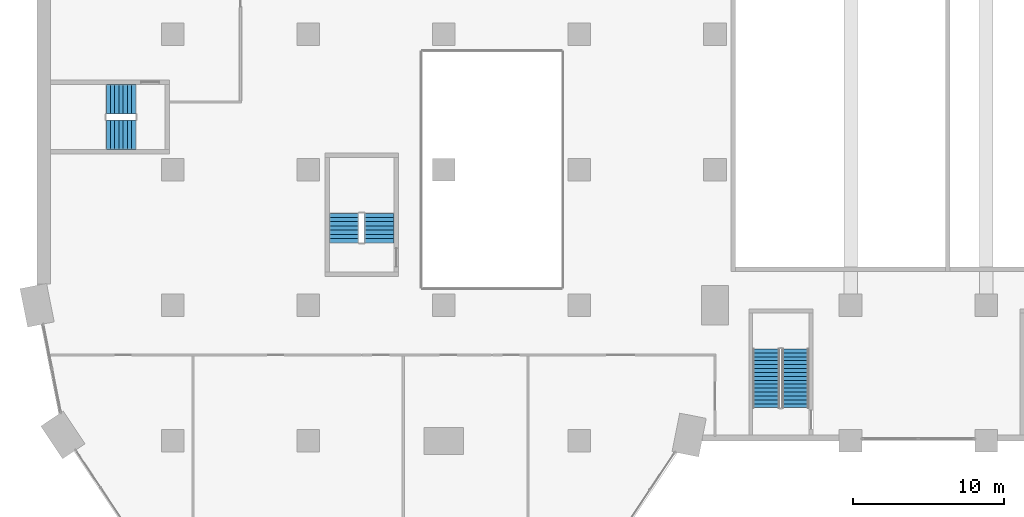
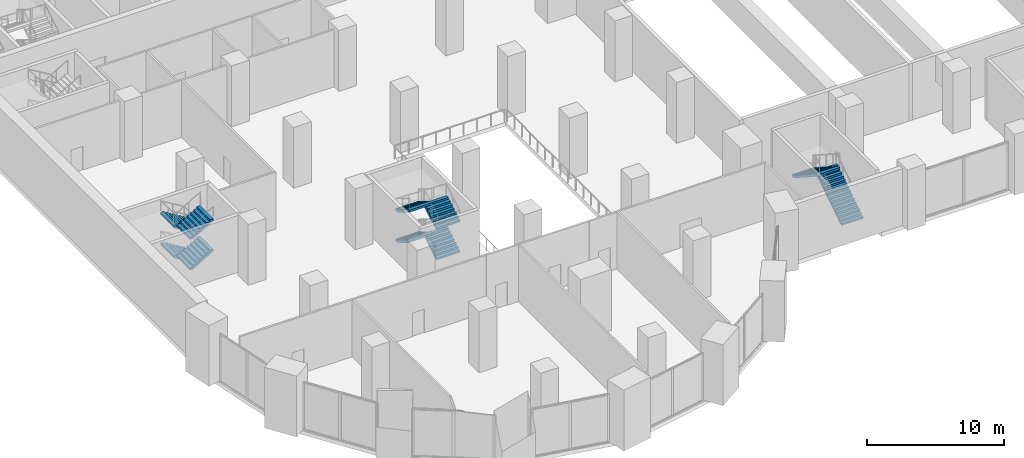
# One storey, part 24 of 43: 10 stair flights, 3 elements without a shape of their own.
"""IFC4 building model written with IfcOpenShell, lengths in metres."""

from ifc_helpers import new_model, si_unit, direction, frame, origin, place, context, subcontext, project, spatial, polyline, outline, extrude, material, type_object, element, aggregate, save


model = new_model("IFC4")

# Units and contexts
model_context = context("Model", 3, precision=1e-05, world=origin(), true_north=direction((0.0, 1.0)))
body_context = subcontext(model_context, "Body", "Model", "MODEL_VIEW")
ifc_project = project(units=[si_unit("LENGTHUNIT", "METRE"), si_unit("AREAUNIT", "SQUARE_METRE"), si_unit("VOLUMEUNIT", "CUBIC_METRE"), si_unit("PLANEANGLEUNIT", "RADIAN"), si_unit("MASSUNIT", "GRAM", prefix="KILO")], contexts=[model_context])

# Site, building, storey
site_placement = place(None, origin())
site = spatial("IfcSite", under=ifc_project, at=site_placement, CompositionType="ELEMENT")
building_placement = place(site_placement, origin())
building = spatial("IfcBuilding", under=site, at=building_placement, Name="Hunhe Ridgeline Campus", CompositionType="ELEMENT")
storey_placement = place(building_placement, frame((0.0, 0.0, 11.39990234375)))
storey = spatial("IfcBuildingStorey", under=building, at=storey_placement, Name="L02", CompositionType="ELEMENT", Elevation=11.39990234375)

# Stair, stair flights
ifc_material = material(Name="Concrete C40", Category="concrete")
stair_type_1 = type_object("IfcStairType", Name="Podium exit stair 1800", PredefinedType="HALF_TURN_STAIR", material=ifc_material)
stair_1_placement = place(storey_placement, origin())
stair_1 = element("IfcStair", 1, at=stair_1_placement, inside=storey, type_object=stair_type_1, Name="L02 podium stair PS1", PredefinedType="HALF_TURN_STAIR")
stair_flight_type_1 = type_object("IfcStairFlightType", Name="Podium stair flight 1800", PredefinedType="STRAIGHT", material=ifc_material)
stair_flight_1_placement = place(storey_placement, frame((50.35009765625, 20.199951171875, 0.0), z_axis=(0.0, 0.0, 1.0), x_axis=(0.0, 1.0, 0.0)))
stair_flight_1 = element("IfcStairFlight", 2, at=stair_flight_1_placement, type_object=stair_flight_type_1, Name="PS1 flight 1", NumberOfRisers=16, NumberOfTreads=15, PredefinedType="STRAIGHT", RiserHeight=0.16875, TreadLength=0.26, context=body_context, shape_type="SweptSolid", body=[
    extrude(outline(polyline([(0.0, 0.0), (0.0, 0.168701171875), (0.260009765625, 0.168701171875), (0.260009765625, 0.33740234375), (0.52001953125, 0.33740234375), (0.52001953125, 0.50634765625), (0.780029296875, 0.50634765625), (0.780029296875, 0.675048828125), (1.0400390625, 0.675048828125), (1.0400390625, 0.84375), (1.300048828125, 0.84375), (1.300048828125, 1.012451171875), (1.56005859375, 1.012451171875), (1.56005859375, 1.18115234375), (1.820068359375, 1.18115234375), (1.820068359375, 1.35009765625), (2.080078125, 1.35009765625), (2.080078125, 1.518798828125), (2.340087890625, 1.518798828125), (2.340087890625, 1.6875), (2.60009765625, 1.6875), (2.60009765625, 1.856201171875), (2.860107421875, 1.856201171875), (2.860107421875, 2.02490234375), (3.1201171875, 2.02490234375), (3.1201171875, 2.19384765625), (3.3798828125, 2.19384765625), (3.3798828125, 2.362548828125), (3.639892578125, 2.362548828125), (3.639892578125, 2.53125), (3.89990234375, 2.53125), (3.89990234375, 2.699951171875), (3.89990234375, 2.3525390625), (0.275390625, 0.0), (0.0, 0.0)])), frame((0.0, 0.89990234375, 0.0), z_axis=(0.0, -1.0, 0.0), x_axis=(1.0, 0.0, 0.0)), (0.0, 0.0, 1.0), 1.800048828125),
])
stair_flight_2_placement = place(storey_placement, frame((48.39990234375, 24.10009765625, 2.7001953125), z_axis=(0.0, 0.0, 1.0), x_axis=(0.0, -1.0, 0.0)))
stair_flight_2 = element("IfcStairFlight", 3, at=stair_flight_2_placement, type_object=stair_flight_type_1, Name="PS1 flight 2", NumberOfRisers=16, NumberOfTreads=15, PredefinedType="STRAIGHT", RiserHeight=0.16875, TreadLength=0.26, context=body_context, shape_type="SweptSolid", body=[
    extrude(outline(polyline([(0.0, 0.0), (0.0, 0.168701171875), (0.260009765625, 0.168701171875), (0.260009765625, 0.33740234375), (0.52001953125, 0.33740234375), (0.52001953125, 0.50634765625), (0.780029296875, 0.50634765625), (0.780029296875, 0.675048828125), (1.0400390625, 0.675048828125), (1.0400390625, 0.84375), (1.300048828125, 0.84375), (1.300048828125, 1.012451171875), (1.56005859375, 1.012451171875), (1.56005859375, 1.18115234375), (1.820068359375, 1.18115234375), (1.820068359375, 1.35009765625), (2.080078125, 1.35009765625), (2.080078125, 1.518798828125), (2.340087890625, 1.518798828125), (2.340087890625, 1.6875), (2.60009765625, 1.6875), (2.60009765625, 1.856201171875), (2.860107421875, 1.856201171875), (2.860107421875, 2.02490234375), (3.1201171875, 2.02490234375), (3.1201171875, 2.19384765625), (3.3798828125, 2.19384765625), (3.3798828125, 2.362548828125), (3.639892578125, 2.362548828125), (3.639892578125, 2.53125), (3.89990234375, 2.53125), (3.89990234375, 2.699951171875), (3.89990234375, 2.3525390625), (0.275390625, 0.0), (0.0, 0.0)])), frame((0.0, 0.89990234375, 0.0), z_axis=(0.0, -1.0, 0.0), x_axis=(1.0, 0.0, 0.0)), (0.0, 0.0, 1.0), 1.800048828125),
])
aggregate(stair_1, [stair_flight_1, stair_flight_2])

stair_type_2 = type_object("IfcStairType", Name="Reinforced concrete dog-leg stair 1950 Concrete C40", PredefinedType="HALF_TURN_STAIR", material=ifc_material)
stair_2_placement = place(storey_placement, origin())
stair_2 = element("IfcStair", 4, at=stair_2_placement, inside=storey, type_object=stair_type_2, Name="L02 W3", PredefinedType="HALF_TURN_STAIR")
stair_flight_type_2 = type_object("IfcStairFlightType", Name="Reinforced concrete stair flight 1950 Concrete C40", PredefinedType="STRAIGHT", material=ifc_material)
stair_flight_3_placement = place(storey_placement, frame((22.72509765625, 31.14990234375, 0.0), z_axis=(0.0, 0.0, 1.0), x_axis=(0.0, 1.0, 0.0)))
stair_flight_3 = element("IfcStairFlight", 5, at=stair_flight_3_placement, type_object=stair_flight_type_2, Name="ST9 flight 1", NumberOfRisers=8, NumberOfTreads=7, PredefinedType="STRAIGHT", RiserHeight=0.16875, TreadLength=0.28, context=body_context, shape_type="SweptSolid", body=[
    extrude(outline(polyline([(0.0, 0.0), (0.0, 0.168701171875), (0.280029296875, 0.168701171875), (0.280029296875, 0.33740234375), (0.56005859375, 0.33740234375), (0.56005859375, 0.50634765625), (0.840087890625, 0.50634765625), (0.840087890625, 0.675048828125), (1.1201171875, 0.675048828125), (1.1201171875, 0.84375), (1.39990234375, 0.84375), (1.39990234375, 1.012451171875), (1.679931640625, 1.012451171875), (1.679931640625, 1.18115234375), (1.9599609375, 1.18115234375), (1.9599609375, 1.35009765625), (1.9599609375, 1.00634765625), (0.29052734375, 0.0), (0.0, 0.0)])), frame((0.0, 0.97509765625, 0.0), z_axis=(0.0, -1.0, 0.0), x_axis=(1.0, 0.0, 0.0)), (0.0, 0.0, 1.0), 1.949951171875),
    extrude(outline(polyline([(0.030029296875, 0.030029296875), (0.030029296875, 0.138916015625), (0.31005859375, 0.138916015625), (0.31005859375, 0.3076171875), (0.590087890625, 0.3076171875), (0.590087890625, 0.476318359375), (0.8701171875, 0.476318359375), (0.8701171875, 0.64501953125), (1.14990234375, 0.64501953125), (1.14990234375, 0.813720703125), (1.429931640625, 0.813720703125), (1.429931640625, 0.982421875), (1.7099609375, 0.982421875), (1.7099609375, 1.1513671875), (1.929931640625, 1.1513671875), (1.929931640625, 1.023193359375), (0.281982421875, 0.030029296875), (0.030029296875, 0.030029296875)])), frame((0.0, -0.070068359375, 0.0), z_axis=(0.0, -1.0, 0.0), x_axis=(1.0, 0.0, 0.0)), (0.0, 0.0, 1.0), 0.019775390625),
    extrude(outline(polyline([(0.030029296875, 0.030029296875), (0.030029296875, 0.138916015625), (0.31005859375, 0.138916015625), (0.31005859375, 0.3076171875), (0.590087890625, 0.3076171875), (0.590087890625, 0.476318359375), (0.8701171875, 0.476318359375), (0.8701171875, 0.64501953125), (1.14990234375, 0.64501953125), (1.14990234375, 0.813720703125), (1.429931640625, 0.813720703125), (1.429931640625, 0.982421875), (1.7099609375, 0.982421875), (1.7099609375, 1.1513671875), (1.929931640625, 1.1513671875), (1.929931640625, 1.023193359375), (0.281982421875, 0.030029296875), (0.030029296875, 0.030029296875)])), frame((0.0, 0.010009765625, 0.0), z_axis=(0.0, -1.0, 0.0), x_axis=(1.0, 0.0, 0.0)), (0.0, 0.0, 1.0), 0.019775390625),
    extrude(outline(polyline([(0.030029296875, 0.030029296875), (0.030029296875, 0.138916015625), (0.31005859375, 0.138916015625), (0.31005859375, 0.3076171875), (0.590087890625, 0.3076171875), (0.590087890625, 0.476318359375), (0.8701171875, 0.476318359375), (0.8701171875, 0.64501953125), (1.14990234375, 0.64501953125), (1.14990234375, 0.813720703125), (1.429931640625, 0.813720703125), (1.429931640625, 0.982421875), (1.7099609375, 0.982421875), (1.7099609375, 1.1513671875), (1.929931640625, 1.1513671875), (1.929931640625, 1.023193359375), (0.281982421875, 0.030029296875), (0.030029296875, 0.030029296875)])), frame((0.0, 0.090087890625, 0.0), z_axis=(0.0, -1.0, 0.0), x_axis=(1.0, 0.0, 0.0)), (0.0, 0.0, 1.0), 0.019775390625),
])
stair_flight_4_placement = place(storey_placement, frame((20.375, 33.110107421875, 1.35009765625), z_axis=(0.0, 0.0, 1.0), x_axis=(0.0, -1.0, 0.0)))
stair_flight_4 = element("IfcStairFlight", 6, at=stair_flight_4_placement, type_object=stair_flight_type_2, Name="ST9 flight 2", NumberOfRisers=8, NumberOfTreads=7, PredefinedType="STRAIGHT", RiserHeight=0.16875, TreadLength=0.28, context=body_context, shape_type="SweptSolid", body=[
    extrude(outline(polyline([(0.0, 0.0), (0.0, 0.168701171875), (0.280029296875, 0.168701171875), (0.280029296875, 0.33740234375), (0.56005859375, 0.33740234375), (0.56005859375, 0.50634765625), (0.840087890625, 0.50634765625), (0.840087890625, 0.675048828125), (1.1201171875, 0.675048828125), (1.1201171875, 0.84375), (1.39990234375, 0.84375), (1.39990234375, 1.012451171875), (1.679931640625, 1.012451171875), (1.679931640625, 1.18115234375), (1.9599609375, 1.18115234375), (1.9599609375, 1.35009765625), (1.9599609375, 1.00634765625), (0.29052734375, 0.0), (0.0, 0.0)])), frame((0.0, 0.97509765625, 0.0), z_axis=(0.0, -1.0, 0.0), x_axis=(1.0, 0.0, 0.0)), (0.0, 0.0, 1.0), 1.949951171875),
    extrude(outline(polyline([(0.030029296875, 0.030029296875), (0.030029296875, 0.138916015625), (0.31005859375, 0.138916015625), (0.31005859375, 0.3076171875), (0.590087890625, 0.3076171875), (0.590087890625, 0.476318359375), (0.8701171875, 0.476318359375), (0.8701171875, 0.64501953125), (1.14990234375, 0.64501953125), (1.14990234375, 0.813720703125), (1.429931640625, 0.813720703125), (1.429931640625, 0.982421875), (1.7099609375, 0.982421875), (1.7099609375, 1.1513671875), (1.929931640625, 1.1513671875), (1.929931640625, 1.023193359375), (0.281982421875, 0.030029296875), (0.030029296875, 0.030029296875)])), frame((0.0, -0.070068359375, 0.0), z_axis=(0.0, -1.0, 0.0), x_axis=(1.0, 0.0, 0.0)), (0.0, 0.0, 1.0), 0.019775390625),
    extrude(outline(polyline([(0.030029296875, 0.030029296875), (0.030029296875, 0.138916015625), (0.31005859375, 0.138916015625), (0.31005859375, 0.3076171875), (0.590087890625, 0.3076171875), (0.590087890625, 0.476318359375), (0.8701171875, 0.476318359375), (0.8701171875, 0.64501953125), (1.14990234375, 0.64501953125), (1.14990234375, 0.813720703125), (1.429931640625, 0.813720703125), (1.429931640625, 0.982421875), (1.7099609375, 0.982421875), (1.7099609375, 1.1513671875), (1.929931640625, 1.1513671875), (1.929931640625, 1.023193359375), (0.281982421875, 0.030029296875), (0.030029296875, 0.030029296875)])), frame((0.0, 0.010009765625, 0.0), z_axis=(0.0, -1.0, 0.0), x_axis=(1.0, 0.0, 0.0)), (0.0, 0.0, 1.0), 0.019775390625),
    extrude(outline(polyline([(0.030029296875, 0.030029296875), (0.030029296875, 0.138916015625), (0.31005859375, 0.138916015625), (0.31005859375, 0.3076171875), (0.590087890625, 0.3076171875), (0.590087890625, 0.476318359375), (0.8701171875, 0.476318359375), (0.8701171875, 0.64501953125), (1.14990234375, 0.64501953125), (1.14990234375, 0.813720703125), (1.429931640625, 0.813720703125), (1.429931640625, 0.982421875), (1.7099609375, 0.982421875), (1.7099609375, 1.1513671875), (1.929931640625, 1.1513671875), (1.929931640625, 1.023193359375), (0.281982421875, 0.030029296875), (0.030029296875, 0.030029296875)])), frame((0.0, 0.090087890625, 0.0), z_axis=(0.0, -1.0, 0.0), x_axis=(1.0, 0.0, 0.0)), (0.0, 0.0, 1.0), 0.019775390625),
])
stair_flight_5_placement = place(storey_placement, frame((22.72509765625, 31.14990234375, 2.7001953125), z_axis=(0.0, 0.0, 1.0), x_axis=(0.0, 1.0, 0.0)))
stair_flight_5 = element("IfcStairFlight", 7, at=stair_flight_5_placement, type_object=stair_flight_type_2, Name="ST9 flight 3", NumberOfRisers=8, NumberOfTreads=7, PredefinedType="STRAIGHT", RiserHeight=0.16875, TreadLength=0.28, context=body_context, shape_type="SweptSolid", body=[
    extrude(outline(polyline([(0.0, 0.0), (0.0, 0.168701171875), (0.280029296875, 0.168701171875), (0.280029296875, 0.33740234375), (0.56005859375, 0.33740234375), (0.56005859375, 0.50634765625), (0.840087890625, 0.50634765625), (0.840087890625, 0.675048828125), (1.1201171875, 0.675048828125), (1.1201171875, 0.84375), (1.39990234375, 0.84375), (1.39990234375, 1.012451171875), (1.679931640625, 1.012451171875), (1.679931640625, 1.18115234375), (1.9599609375, 1.18115234375), (1.9599609375, 1.35009765625), (1.9599609375, 1.00634765625), (0.29052734375, 0.0), (0.0, 0.0)])), frame((0.0, 0.97509765625, 0.0), z_axis=(0.0, -1.0, 0.0), x_axis=(1.0, 0.0, 0.0)), (0.0, 0.0, 1.0), 1.949951171875),
    extrude(outline(polyline([(0.030029296875, 0.030029296875), (0.030029296875, 0.138916015625), (0.31005859375, 0.138916015625), (0.31005859375, 0.3076171875), (0.590087890625, 0.3076171875), (0.590087890625, 0.476318359375), (0.8701171875, 0.476318359375), (0.8701171875, 0.64501953125), (1.14990234375, 0.64501953125), (1.14990234375, 0.813720703125), (1.429931640625, 0.813720703125), (1.429931640625, 0.982421875), (1.7099609375, 0.982421875), (1.7099609375, 1.1513671875), (1.929931640625, 1.1513671875), (1.929931640625, 1.023193359375), (0.281982421875, 0.030029296875), (0.030029296875, 0.030029296875)])), frame((0.0, -0.070068359375, 0.0), z_axis=(0.0, -1.0, 0.0), x_axis=(1.0, 0.0, 0.0)), (0.0, 0.0, 1.0), 0.019775390625),
    extrude(outline(polyline([(0.030029296875, 0.030029296875), (0.030029296875, 0.138916015625), (0.31005859375, 0.138916015625), (0.31005859375, 0.3076171875), (0.590087890625, 0.3076171875), (0.590087890625, 0.476318359375), (0.8701171875, 0.476318359375), (0.8701171875, 0.64501953125), (1.14990234375, 0.64501953125), (1.14990234375, 0.813720703125), (1.429931640625, 0.813720703125), (1.429931640625, 0.982421875), (1.7099609375, 0.982421875), (1.7099609375, 1.1513671875), (1.929931640625, 1.1513671875), (1.929931640625, 1.023193359375), (0.281982421875, 0.030029296875), (0.030029296875, 0.030029296875)])), frame((0.0, 0.010009765625, 0.0), z_axis=(0.0, -1.0, 0.0), x_axis=(1.0, 0.0, 0.0)), (0.0, 0.0, 1.0), 0.019775390625),
    extrude(outline(polyline([(0.030029296875, 0.030029296875), (0.030029296875, 0.138916015625), (0.31005859375, 0.138916015625), (0.31005859375, 0.3076171875), (0.590087890625, 0.3076171875), (0.590087890625, 0.476318359375), (0.8701171875, 0.476318359375), (0.8701171875, 0.64501953125), (1.14990234375, 0.64501953125), (1.14990234375, 0.813720703125), (1.429931640625, 0.813720703125), (1.429931640625, 0.982421875), (1.7099609375, 0.982421875), (1.7099609375, 1.1513671875), (1.929931640625, 1.1513671875), (1.929931640625, 1.023193359375), (0.281982421875, 0.030029296875), (0.030029296875, 0.030029296875)])), frame((0.0, 0.090087890625, 0.0), z_axis=(0.0, -1.0, 0.0), x_axis=(1.0, 0.0, 0.0)), (0.0, 0.0, 1.0), 0.019775390625),
])
stair_flight_6_placement = place(storey_placement, frame((20.375, 33.110107421875, 4.050048828125), z_axis=(0.0, 0.0, 1.0), x_axis=(0.0, -1.0, 0.0)))
stair_flight_6 = element("IfcStairFlight", 8, at=stair_flight_6_placement, type_object=stair_flight_type_2, Name="ST9 flight 4", NumberOfRisers=8, NumberOfTreads=7, PredefinedType="STRAIGHT", RiserHeight=0.16875, TreadLength=0.28, context=body_context, shape_type="SweptSolid", body=[
    extrude(outline(polyline([(0.0, 0.0), (0.0, 0.168701171875), (0.280029296875, 0.168701171875), (0.280029296875, 0.33740234375), (0.56005859375, 0.33740234375), (0.56005859375, 0.50634765625), (0.840087890625, 0.50634765625), (0.840087890625, 0.675048828125), (1.1201171875, 0.675048828125), (1.1201171875, 0.84375), (1.39990234375, 0.84375), (1.39990234375, 1.012451171875), (1.679931640625, 1.012451171875), (1.679931640625, 1.18115234375), (1.9599609375, 1.18115234375), (1.9599609375, 1.35009765625), (1.9599609375, 1.00634765625), (0.29052734375, 0.0), (0.0, 0.0)])), frame((0.0, 0.97509765625, 0.0), z_axis=(0.0, -1.0, 0.0), x_axis=(1.0, 0.0, 0.0)), (0.0, 0.0, 1.0), 1.949951171875),
    extrude(outline(polyline([(0.030029296875, 0.030029296875), (0.030029296875, 0.138916015625), (0.31005859375, 0.138916015625), (0.31005859375, 0.3076171875), (0.590087890625, 0.3076171875), (0.590087890625, 0.476318359375), (0.8701171875, 0.476318359375), (0.8701171875, 0.64501953125), (1.14990234375, 0.64501953125), (1.14990234375, 0.813720703125), (1.429931640625, 0.813720703125), (1.429931640625, 0.982421875), (1.7099609375, 0.982421875), (1.7099609375, 1.1513671875), (1.929931640625, 1.1513671875), (1.929931640625, 1.023193359375), (0.281982421875, 0.030029296875), (0.030029296875, 0.030029296875)])), frame((0.0, -0.070068359375, 0.0), z_axis=(0.0, -1.0, 0.0), x_axis=(1.0, 0.0, 0.0)), (0.0, 0.0, 1.0), 0.019775390625),
    extrude(outline(polyline([(0.030029296875, 0.030029296875), (0.030029296875, 0.138916015625), (0.31005859375, 0.138916015625), (0.31005859375, 0.3076171875), (0.590087890625, 0.3076171875), (0.590087890625, 0.476318359375), (0.8701171875, 0.476318359375), (0.8701171875, 0.64501953125), (1.14990234375, 0.64501953125), (1.14990234375, 0.813720703125), (1.429931640625, 0.813720703125), (1.429931640625, 0.982421875), (1.7099609375, 0.982421875), (1.7099609375, 1.1513671875), (1.929931640625, 1.1513671875), (1.929931640625, 1.023193359375), (0.281982421875, 0.030029296875), (0.030029296875, 0.030029296875)])), frame((0.0, 0.010009765625, 0.0), z_axis=(0.0, -1.0, 0.0), x_axis=(1.0, 0.0, 0.0)), (0.0, 0.0, 1.0), 0.019775390625),
    extrude(outline(polyline([(0.030029296875, 0.030029296875), (0.030029296875, 0.138916015625), (0.31005859375, 0.138916015625), (0.31005859375, 0.3076171875), (0.590087890625, 0.3076171875), (0.590087890625, 0.476318359375), (0.8701171875, 0.476318359375), (0.8701171875, 0.64501953125), (1.14990234375, 0.64501953125), (1.14990234375, 0.813720703125), (1.429931640625, 0.813720703125), (1.429931640625, 0.982421875), (1.7099609375, 0.982421875), (1.7099609375, 1.1513671875), (1.929931640625, 1.1513671875), (1.929931640625, 1.023193359375), (0.281982421875, 0.030029296875), (0.030029296875, 0.030029296875)])), frame((0.0, 0.090087890625, 0.0), z_axis=(0.0, -1.0, 0.0), x_axis=(1.0, 0.0, 0.0)), (0.0, 0.0, 1.0), 0.019775390625),
])
aggregate(stair_2, [stair_flight_3, stair_flight_4, stair_flight_5, stair_flight_6])

stair_3_placement = place(storey_placement, origin())
stair_3 = element("IfcStair", 9, at=stair_3_placement, inside=storey, type_object=stair_type_2, Name="L02 W1", PredefinedType="HALF_TURN_STAIR")
stair_flight_7_placement = place(storey_placement, frame((6.550048828125, 40.675048828125, 0.0), z_axis=(0.0, 0.0, 1.0), x_axis=(-1.0, 0.0, 0.0)))
stair_flight_7 = element("IfcStairFlight", 10, at=stair_flight_7_placement, type_object=stair_flight_type_2, Name="ST11 flight 1", NumberOfRisers=8, NumberOfTreads=7, PredefinedType="STRAIGHT", RiserHeight=0.16875, TreadLength=0.28, context=body_context, shape_type="SweptSolid", body=[
    extrude(outline(polyline([(0.0, 0.0), (0.0, 0.168701171875), (0.280029296875, 0.168701171875), (0.280029296875, 0.33740234375), (0.56005859375, 0.33740234375), (0.56005859375, 0.50634765625), (0.840087890625, 0.50634765625), (0.840087890625, 0.675048828125), (1.1201171875, 0.675048828125), (1.1201171875, 0.84375), (1.39990234375, 0.84375), (1.39990234375, 1.012451171875), (1.679931640625, 1.012451171875), (1.679931640625, 1.18115234375), (1.9599609375, 1.18115234375), (1.9599609375, 1.35009765625), (1.9599609375, 1.00634765625), (0.29052734375, 0.0), (0.0, 0.0)])), frame((0.0, 0.97509765625, 0.0), z_axis=(0.0, -1.0, 0.0), x_axis=(1.0, 0.0, 0.0)), (0.0, 0.0, 1.0), 1.949951171875),
    extrude(outline(polyline([(0.030029296875, 0.030029296875), (0.030029296875, 0.138916015625), (0.31005859375, 0.138916015625), (0.31005859375, 0.3076171875), (0.590087890625, 0.3076171875), (0.590087890625, 0.476318359375), (0.8701171875, 0.476318359375), (0.8701171875, 0.64501953125), (1.14990234375, 0.64501953125), (1.14990234375, 0.813720703125), (1.429931640625, 0.813720703125), (1.429931640625, 0.982421875), (1.7099609375, 0.982421875), (1.7099609375, 1.1513671875), (1.929931640625, 1.1513671875), (1.929931640625, 1.023193359375), (0.281982421875, 0.030029296875), (0.030029296875, 0.030029296875)])), frame((0.0, -0.070068359375, 0.0), z_axis=(0.0, -1.0, 0.0), x_axis=(1.0, 0.0, 0.0)), (0.0, 0.0, 1.0), 0.019775390625),
    extrude(outline(polyline([(0.030029296875, 0.030029296875), (0.030029296875, 0.138916015625), (0.31005859375, 0.138916015625), (0.31005859375, 0.3076171875), (0.590087890625, 0.3076171875), (0.590087890625, 0.476318359375), (0.8701171875, 0.476318359375), (0.8701171875, 0.64501953125), (1.14990234375, 0.64501953125), (1.14990234375, 0.813720703125), (1.429931640625, 0.813720703125), (1.429931640625, 0.982421875), (1.7099609375, 0.982421875), (1.7099609375, 1.1513671875), (1.929931640625, 1.1513671875), (1.929931640625, 1.023193359375), (0.281982421875, 0.030029296875), (0.030029296875, 0.030029296875)])), frame((0.0, 0.010009765625, 0.0), z_axis=(0.0, -1.0, 0.0), x_axis=(1.0, 0.0, 0.0)), (0.0, 0.0, 1.0), 0.019775390625),
    extrude(outline(polyline([(0.030029296875, 0.030029296875), (0.030029296875, 0.138916015625), (0.31005859375, 0.138916015625), (0.31005859375, 0.3076171875), (0.590087890625, 0.3076171875), (0.590087890625, 0.476318359375), (0.8701171875, 0.476318359375), (0.8701171875, 0.64501953125), (1.14990234375, 0.64501953125), (1.14990234375, 0.813720703125), (1.429931640625, 0.813720703125), (1.429931640625, 0.982421875), (1.7099609375, 0.982421875), (1.7099609375, 1.1513671875), (1.929931640625, 1.1513671875), (1.929931640625, 1.023193359375), (0.281982421875, 0.030029296875), (0.030029296875, 0.030029296875)])), frame((0.0, 0.090087890625, 0.0), z_axis=(0.0, -1.0, 0.0), x_axis=(1.0, 0.0, 0.0)), (0.0, 0.0, 1.0), 0.019775390625),
])
stair_flight_8_placement = place(storey_placement, frame((4.590087890625, 38.324951171875, 1.35009765625), z_axis=(0.0, 0.0, 1.0), x_axis=(1.0, 0.0, 0.0)))
stair_flight_8 = element("IfcStairFlight", 11, at=stair_flight_8_placement, type_object=stair_flight_type_2, Name="ST11 flight 2", NumberOfRisers=8, NumberOfTreads=7, PredefinedType="STRAIGHT", RiserHeight=0.16875, TreadLength=0.28, context=body_context, shape_type="SweptSolid", body=[
    extrude(outline(polyline([(0.0, 0.0), (0.0, 0.168701171875), (0.280029296875, 0.168701171875), (0.280029296875, 0.33740234375), (0.56005859375, 0.33740234375), (0.56005859375, 0.50634765625), (0.840087890625, 0.50634765625), (0.840087890625, 0.675048828125), (1.1201171875, 0.675048828125), (1.1201171875, 0.84375), (1.39990234375, 0.84375), (1.39990234375, 1.012451171875), (1.679931640625, 1.012451171875), (1.679931640625, 1.18115234375), (1.9599609375, 1.18115234375), (1.9599609375, 1.35009765625), (1.9599609375, 1.00634765625), (0.29052734375, 0.0), (0.0, 0.0)])), frame((0.0, 0.97509765625, 0.0), z_axis=(0.0, -1.0, 0.0), x_axis=(1.0, 0.0, 0.0)), (0.0, 0.0, 1.0), 1.949951171875),
    extrude(outline(polyline([(0.030029296875, 0.030029296875), (0.030029296875, 0.138916015625), (0.31005859375, 0.138916015625), (0.31005859375, 0.3076171875), (0.590087890625, 0.3076171875), (0.590087890625, 0.476318359375), (0.8701171875, 0.476318359375), (0.8701171875, 0.64501953125), (1.14990234375, 0.64501953125), (1.14990234375, 0.813720703125), (1.429931640625, 0.813720703125), (1.429931640625, 0.982421875), (1.7099609375, 0.982421875), (1.7099609375, 1.1513671875), (1.929931640625, 1.1513671875), (1.929931640625, 1.023193359375), (0.281982421875, 0.030029296875), (0.030029296875, 0.030029296875)])), frame((0.0, -0.070068359375, 0.0), z_axis=(0.0, -1.0, 0.0), x_axis=(1.0, 0.0, 0.0)), (0.0, 0.0, 1.0), 0.019775390625),
    extrude(outline(polyline([(0.030029296875, 0.030029296875), (0.030029296875, 0.138916015625), (0.31005859375, 0.138916015625), (0.31005859375, 0.3076171875), (0.590087890625, 0.3076171875), (0.590087890625, 0.476318359375), (0.8701171875, 0.476318359375), (0.8701171875, 0.64501953125), (1.14990234375, 0.64501953125), (1.14990234375, 0.813720703125), (1.429931640625, 0.813720703125), (1.429931640625, 0.982421875), (1.7099609375, 0.982421875), (1.7099609375, 1.1513671875), (1.929931640625, 1.1513671875), (1.929931640625, 1.023193359375), (0.281982421875, 0.030029296875), (0.030029296875, 0.030029296875)])), frame((0.0, 0.010009765625, 0.0), z_axis=(0.0, -1.0, 0.0), x_axis=(1.0, 0.0, 0.0)), (0.0, 0.0, 1.0), 0.019775390625),
    extrude(outline(polyline([(0.030029296875, 0.030029296875), (0.030029296875, 0.138916015625), (0.31005859375, 0.138916015625), (0.31005859375, 0.3076171875), (0.590087890625, 0.3076171875), (0.590087890625, 0.476318359375), (0.8701171875, 0.476318359375), (0.8701171875, 0.64501953125), (1.14990234375, 0.64501953125), (1.14990234375, 0.813720703125), (1.429931640625, 0.813720703125), (1.429931640625, 0.982421875), (1.7099609375, 0.982421875), (1.7099609375, 1.1513671875), (1.929931640625, 1.1513671875), (1.929931640625, 1.023193359375), (0.281982421875, 0.030029296875), (0.030029296875, 0.030029296875)])), frame((0.0, 0.090087890625, 0.0), z_axis=(0.0, -1.0, 0.0), x_axis=(1.0, 0.0, 0.0)), (0.0, 0.0, 1.0), 0.019775390625),
])
stair_flight_9_placement = place(storey_placement, frame((6.550048828125, 40.675048828125, 2.7001953125), z_axis=(0.0, 0.0, 1.0), x_axis=(-1.0, 0.0, 0.0)))
stair_flight_9 = element("IfcStairFlight", 12, at=stair_flight_9_placement, type_object=stair_flight_type_2, Name="ST11 flight 3", NumberOfRisers=8, NumberOfTreads=7, PredefinedType="STRAIGHT", RiserHeight=0.16875, TreadLength=0.28, context=body_context, shape_type="SweptSolid", body=[
    extrude(outline(polyline([(0.0, 0.0), (0.0, 0.168701171875), (0.280029296875, 0.168701171875), (0.280029296875, 0.33740234375), (0.56005859375, 0.33740234375), (0.56005859375, 0.50634765625), (0.840087890625, 0.50634765625), (0.840087890625, 0.675048828125), (1.1201171875, 0.675048828125), (1.1201171875, 0.84375), (1.39990234375, 0.84375), (1.39990234375, 1.012451171875), (1.679931640625, 1.012451171875), (1.679931640625, 1.18115234375), (1.9599609375, 1.18115234375), (1.9599609375, 1.35009765625), (1.9599609375, 1.00634765625), (0.29052734375, 0.0), (0.0, 0.0)])), frame((0.0, 0.97509765625, 0.0), z_axis=(0.0, -1.0, 0.0), x_axis=(1.0, 0.0, 0.0)), (0.0, 0.0, 1.0), 1.949951171875),
    extrude(outline(polyline([(0.030029296875, 0.030029296875), (0.030029296875, 0.138916015625), (0.31005859375, 0.138916015625), (0.31005859375, 0.3076171875), (0.590087890625, 0.3076171875), (0.590087890625, 0.476318359375), (0.8701171875, 0.476318359375), (0.8701171875, 0.64501953125), (1.14990234375, 0.64501953125), (1.14990234375, 0.813720703125), (1.429931640625, 0.813720703125), (1.429931640625, 0.982421875), (1.7099609375, 0.982421875), (1.7099609375, 1.1513671875), (1.929931640625, 1.1513671875), (1.929931640625, 1.023193359375), (0.281982421875, 0.030029296875), (0.030029296875, 0.030029296875)])), frame((0.0, -0.070068359375, 0.0), z_axis=(0.0, -1.0, 0.0), x_axis=(1.0, 0.0, 0.0)), (0.0, 0.0, 1.0), 0.019775390625),
    extrude(outline(polyline([(0.030029296875, 0.030029296875), (0.030029296875, 0.138916015625), (0.31005859375, 0.138916015625), (0.31005859375, 0.3076171875), (0.590087890625, 0.3076171875), (0.590087890625, 0.476318359375), (0.8701171875, 0.476318359375), (0.8701171875, 0.64501953125), (1.14990234375, 0.64501953125), (1.14990234375, 0.813720703125), (1.429931640625, 0.813720703125), (1.429931640625, 0.982421875), (1.7099609375, 0.982421875), (1.7099609375, 1.1513671875), (1.929931640625, 1.1513671875), (1.929931640625, 1.023193359375), (0.281982421875, 0.030029296875), (0.030029296875, 0.030029296875)])), frame((0.0, 0.010009765625, 0.0), z_axis=(0.0, -1.0, 0.0), x_axis=(1.0, 0.0, 0.0)), (0.0, 0.0, 1.0), 0.019775390625),
    extrude(outline(polyline([(0.030029296875, 0.030029296875), (0.030029296875, 0.138916015625), (0.31005859375, 0.138916015625), (0.31005859375, 0.3076171875), (0.590087890625, 0.3076171875), (0.590087890625, 0.476318359375), (0.8701171875, 0.476318359375), (0.8701171875, 0.64501953125), (1.14990234375, 0.64501953125), (1.14990234375, 0.813720703125), (1.429931640625, 0.813720703125), (1.429931640625, 0.982421875), (1.7099609375, 0.982421875), (1.7099609375, 1.1513671875), (1.929931640625, 1.1513671875), (1.929931640625, 1.023193359375), (0.281982421875, 0.030029296875), (0.030029296875, 0.030029296875)])), frame((0.0, 0.090087890625, 0.0), z_axis=(0.0, -1.0, 0.0), x_axis=(1.0, 0.0, 0.0)), (0.0, 0.0, 1.0), 0.019775390625),
])
stair_flight_10_placement = place(storey_placement, frame((4.590087890625, 38.324951171875, 4.050048828125), z_axis=(0.0, 0.0, 1.0), x_axis=(1.0, 0.0, 0.0)))
stair_flight_10 = element("IfcStairFlight", 13, at=stair_flight_10_placement, type_object=stair_flight_type_2, Name="ST11 flight 4", NumberOfRisers=8, NumberOfTreads=7, PredefinedType="STRAIGHT", RiserHeight=0.16875, TreadLength=0.28, context=body_context, shape_type="SweptSolid", body=[
    extrude(outline(polyline([(0.0, 0.0), (0.0, 0.168701171875), (0.280029296875, 0.168701171875), (0.280029296875, 0.33740234375), (0.56005859375, 0.33740234375), (0.56005859375, 0.50634765625), (0.840087890625, 0.50634765625), (0.840087890625, 0.675048828125), (1.1201171875, 0.675048828125), (1.1201171875, 0.84375), (1.39990234375, 0.84375), (1.39990234375, 1.012451171875), (1.679931640625, 1.012451171875), (1.679931640625, 1.18115234375), (1.9599609375, 1.18115234375), (1.9599609375, 1.35009765625), (1.9599609375, 1.00634765625), (0.29052734375, 0.0), (0.0, 0.0)])), frame((0.0, 0.97509765625, 0.0), z_axis=(0.0, -1.0, 0.0), x_axis=(1.0, 0.0, 0.0)), (0.0, 0.0, 1.0), 1.949951171875),
    extrude(outline(polyline([(0.030029296875, 0.030029296875), (0.030029296875, 0.138916015625), (0.31005859375, 0.138916015625), (0.31005859375, 0.3076171875), (0.590087890625, 0.3076171875), (0.590087890625, 0.476318359375), (0.8701171875, 0.476318359375), (0.8701171875, 0.64501953125), (1.14990234375, 0.64501953125), (1.14990234375, 0.813720703125), (1.429931640625, 0.813720703125), (1.429931640625, 0.982421875), (1.7099609375, 0.982421875), (1.7099609375, 1.1513671875), (1.929931640625, 1.1513671875), (1.929931640625, 1.023193359375), (0.281982421875, 0.030029296875), (0.030029296875, 0.030029296875)])), frame((0.0, -0.070068359375, 0.0), z_axis=(0.0, -1.0, 0.0), x_axis=(1.0, 0.0, 0.0)), (0.0, 0.0, 1.0), 0.019775390625),
    extrude(outline(polyline([(0.030029296875, 0.030029296875), (0.030029296875, 0.138916015625), (0.31005859375, 0.138916015625), (0.31005859375, 0.3076171875), (0.590087890625, 0.3076171875), (0.590087890625, 0.476318359375), (0.8701171875, 0.476318359375), (0.8701171875, 0.64501953125), (1.14990234375, 0.64501953125), (1.14990234375, 0.813720703125), (1.429931640625, 0.813720703125), (1.429931640625, 0.982421875), (1.7099609375, 0.982421875), (1.7099609375, 1.1513671875), (1.929931640625, 1.1513671875), (1.929931640625, 1.023193359375), (0.281982421875, 0.030029296875), (0.030029296875, 0.030029296875)])), frame((0.0, 0.010009765625, 0.0), z_axis=(0.0, -1.0, 0.0), x_axis=(1.0, 0.0, 0.0)), (0.0, 0.0, 1.0), 0.019775390625),
    extrude(outline(polyline([(0.030029296875, 0.030029296875), (0.030029296875, 0.138916015625), (0.31005859375, 0.138916015625), (0.31005859375, 0.3076171875), (0.590087890625, 0.3076171875), (0.590087890625, 0.476318359375), (0.8701171875, 0.476318359375), (0.8701171875, 0.64501953125), (1.14990234375, 0.64501953125), (1.14990234375, 0.813720703125), (1.429931640625, 0.813720703125), (1.429931640625, 0.982421875), (1.7099609375, 0.982421875), (1.7099609375, 1.1513671875), (1.929931640625, 1.1513671875), (1.929931640625, 1.023193359375), (0.281982421875, 0.030029296875), (0.030029296875, 0.030029296875)])), frame((0.0, 0.090087890625, 0.0), z_axis=(0.0, -1.0, 0.0), x_axis=(1.0, 0.0, 0.0)), (0.0, 0.0, 1.0), 0.019775390625),
])
aggregate(stair_3, [stair_flight_7, stair_flight_8, stair_flight_9, stair_flight_10])

save(model, "model.ifc")
